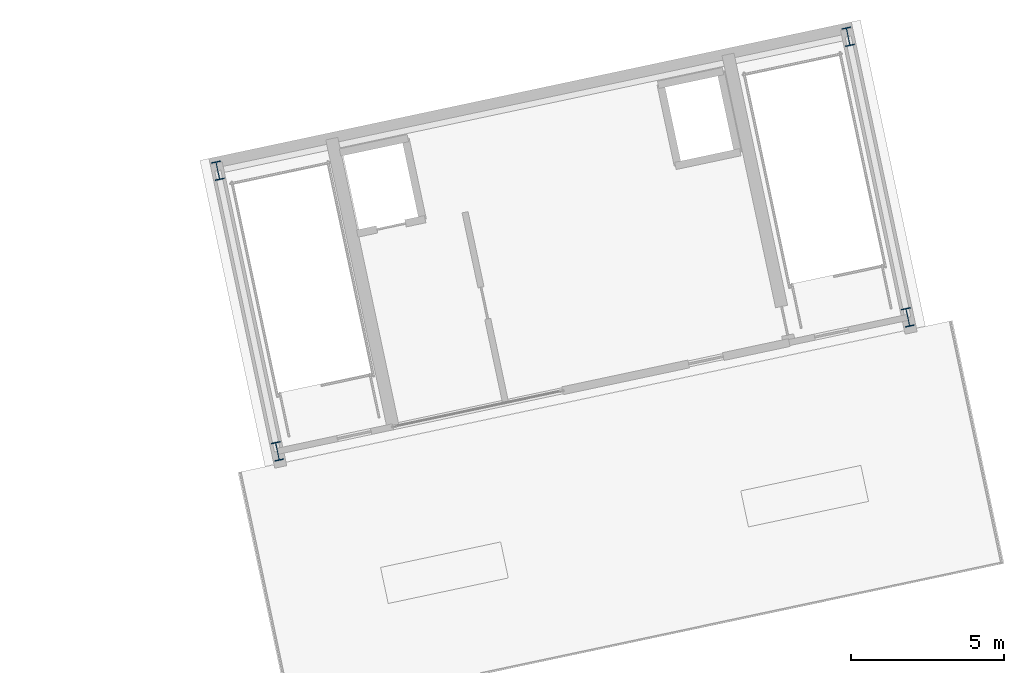
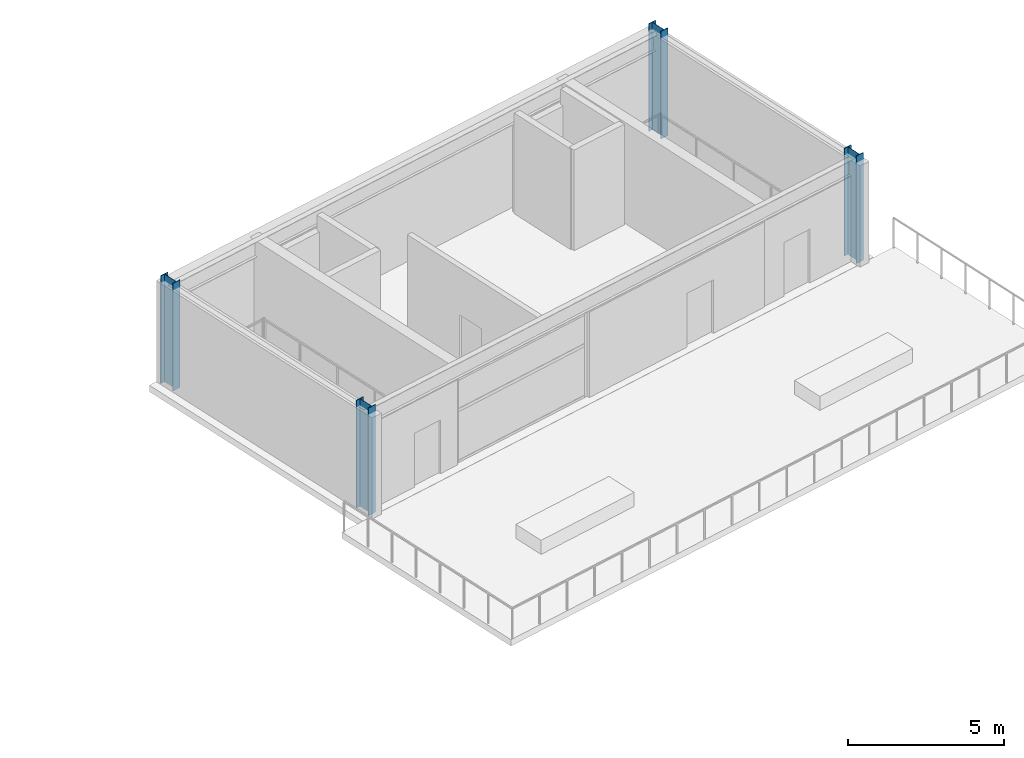
# One storey, part 2 of 16: 4 columns.
"""IFC4 building model written with IfcOpenShell, lengths in metres."""

from ifc_helpers import new_model, si_unit, direction, frame, origin, origin_2d, place, context, subcontext, project, spatial, i_section, extrude, material, material_profile, profile_set, type_object, element, save


model = new_model("IFC4")

# Units and contexts
model_context = context("Model", 3, precision=1e-05, world=origin(), true_north=direction((0.0, 1.0)))
body_context = subcontext(model_context, "Body", "Model", "MODEL_VIEW")
ifc_project = project(units=[si_unit("LENGTHUNIT", "METRE"), si_unit("AREAUNIT", "SQUARE_METRE"), si_unit("VOLUMEUNIT", "CUBIC_METRE"), si_unit("PLANEANGLEUNIT", "RADIAN"), si_unit("MASSUNIT", "GRAM", prefix="KILO")], contexts=[model_context])

# Site, building, storey
site_placement = place(None, origin())
site = spatial("IfcSite", under=ifc_project, at=site_placement, CompositionType="ELEMENT")
building_placement = place(site_placement, origin())
building = spatial("IfcBuilding", under=site, at=building_placement, Name="Haevon Station Towers", CompositionType="ELEMENT")
storey_placement = place(building_placement, frame((0.0, 0.0, 235.199951171875)))
storey = spatial("IfcBuildingStorey", under=building, at=storey_placement, Name="L65", CompositionType="ELEMENT", Elevation=235.199951171875)

# Columns
ifc_material = material(Name="Steel S355", Category="steel")
ifc_material_profile = material_profile(ifc_material, i_section(OverallWidth=0.300048828125, OverallDepth=0.60009765625, WebThickness=0.013916015625, FlangeThickness=0.02490234375, at=origin_2d()), Name="H-600x300x14x25")
ifc_profile_set = profile_set([ifc_material_profile], Name="Steel S355")
column_type = type_object("IfcColumnType", Name="COL-TW4", PredefinedType="COLUMN", material=ifc_profile_set)
for number, where, z_axis, x_axis, name in (
    (1, (98.75244140625, 37.4423828125, 0.0), (0.0, 0.0, 1.0), (0.978147600734, 0.207911690818, 0.0), "COL-T2-HH-L65-1"),
    (2, (119.29345703125, 41.80859375, 0.0), (0.0, 0.0, 1.0), (0.978147600734, 0.207911690818, 0.0), "COL-T2-HH-L65-2"),
    (3, (117.349365234375, 50.954345703125, 0.0), (0.0, 0.0, 1.0), (0.978147600734, 0.207911690818, 0.0), "COL-T2-HH-L65-3"),
    (4, (96.808349609375, 46.588134765625, 0.0), (0.0, 0.0, 1.0), (0.978147600734, 0.207911690818, 0.0), "COL-T2-HH-L65-4"),
):
    element("IfcColumn", number, at=place(storey_placement, frame(where, z_axis=z_axis, x_axis=x_axis)), inside=storey, type_object=column_type, Name=name, PredefinedType="COLUMN", context=body_context, shape_type="SweptSolid", body=[
        extrude(i_section(OverallWidth=0.300048828125, OverallDepth=0.60009765625, WebThickness=0.013916015625, FlangeThickness=0.02490234375, at=origin_2d()), origin(), (0.0, 0.0, 1.0), 4.199951171875),
    ])

save(model, "model.ifc")
